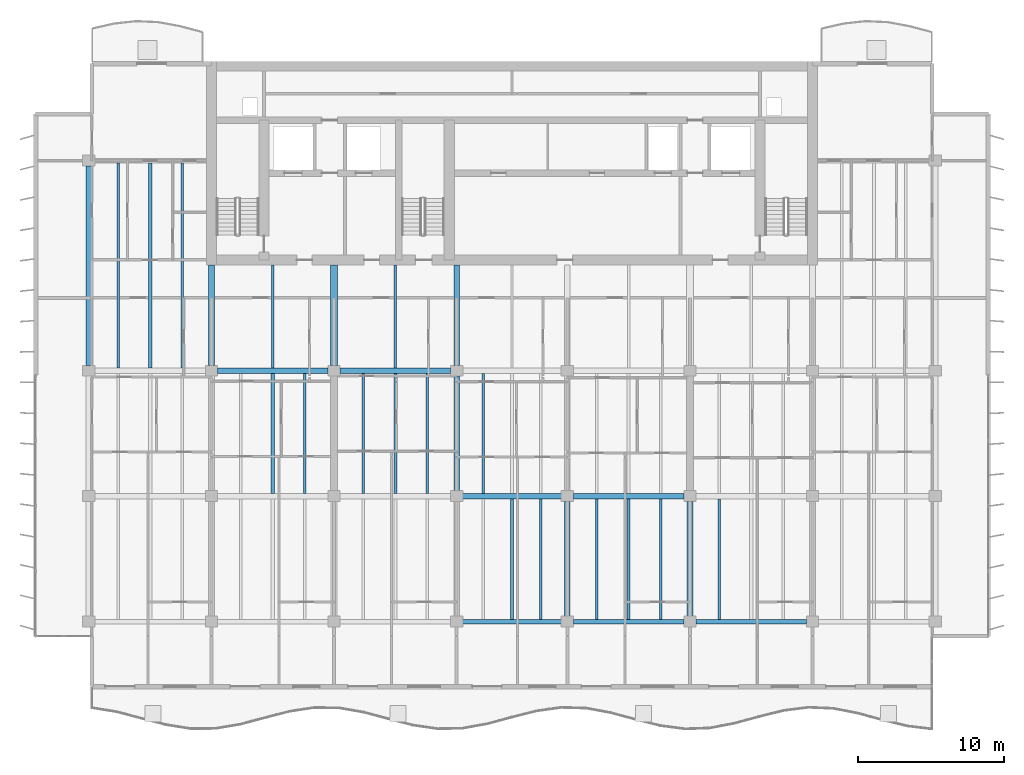
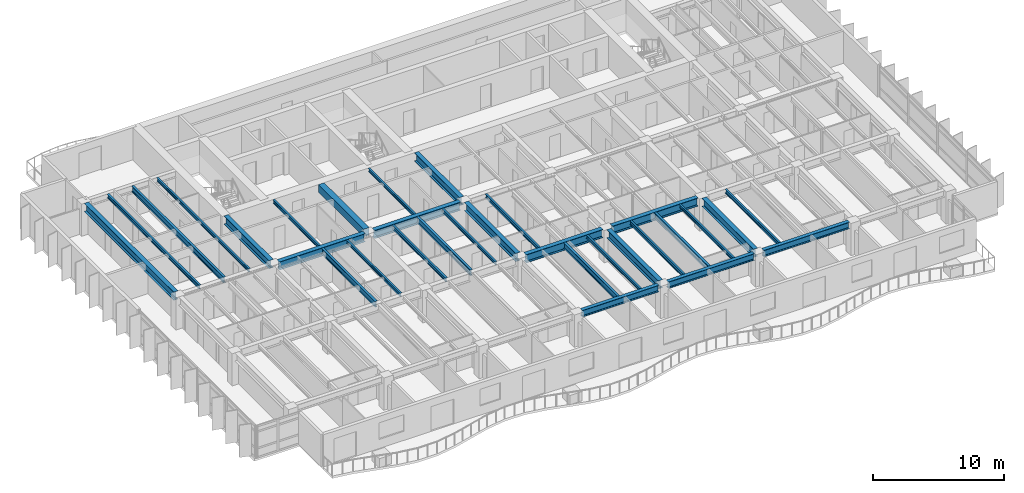
# One storey, part 3 of 19: 31 beams.
"""IFC4 building model written with IfcOpenShell, lengths in metres."""

from ifc_helpers import new_model, si_unit, direction, frame, origin, origin_2d, place, context, subcontext, project, spatial, rectangle, i_section, extrude, material, material_profile, profile_set, type_object, element, save


model = new_model("IFC4")

# Units and contexts
model_context = context("Model", 3, precision=1e-05, world=origin(), true_north=direction((0.0, 1.0)))
body_context = subcontext(model_context, "Body", "Model", "MODEL_VIEW")
ifc_project = project(units=[si_unit("LENGTHUNIT", "METRE"), si_unit("AREAUNIT", "SQUARE_METRE"), si_unit("VOLUMEUNIT", "CUBIC_METRE"), si_unit("PLANEANGLEUNIT", "RADIAN"), si_unit("MASSUNIT", "GRAM", prefix="KILO")], contexts=[model_context])

# Site, building, storey
site_placement = place(None, origin())
site = spatial("IfcSite", under=ifc_project, at=site_placement, CompositionType="ELEMENT")
building_placement = place(site_placement, origin())
building = spatial("IfcBuilding", under=site, at=building_placement, Name="Caelmar Bay Residences", CompositionType="ELEMENT")
storey_placement = place(building_placement, frame((0.0, 0.0, 218.10009765625)))
storey = spatial("IfcBuildingStorey", under=building, at=storey_placement, Name="L61", CompositionType="ELEMENT", Elevation=218.10009765625)

# Beams
ifc_material_1 = material(Name="Steel ASTM A992 Grade 50", Category="steel")
ifc_material_profile_1 = material_profile(ifc_material_1, i_section(OverallWidth=0.381103515625, OverallDepth=0.77197265625, WebThickness=0.0166015625, FlangeThickness=0.027099609375, FilletRadius=0.0166015625, at=origin_2d()), Name="W30X173")
ifc_profile_set_1 = profile_set([ifc_material_profile_1], Name="Steel ASTM A992 Grade 50")
beam_type_1 = type_object("IfcBeamType", Name="BM-GRD-W30X173", PredefinedType="BEAM", material=ifc_profile_set_1)
beam_1_placement = place(storey_placement, frame((35.514892578125, 20.800048828125, 2.614013671875), z_axis=(1.0, 0.0, 0.0), x_axis=(0.0, 1.0, 0.0)))
element("IfcBeam", 1, at=beam_1_placement, inside=storey, type_object=beam_type_1, Name="L61 East-West Girder Y=20.80 (35.1-42.7)", PredefinedType="BEAM", context=body_context, shape_type="SweptSolid", body=[
    extrude(i_section(OverallWidth=0.381103515625, OverallDepth=0.77197265625, WebThickness=0.0166015625, FlangeThickness=0.027099609375, FilletRadius=0.0166015625, at=origin_2d()), origin(), (0.0, 0.0, 1.0), 6.77001953125),
])
beam_2_placement = place(storey_placement, frame((43.114990234375, 20.800048828125, 2.614013671875), z_axis=(1.0, 0.0, 0.0), x_axis=(0.0, 1.0, 0.0)))
element("IfcBeam", 2, at=beam_2_placement, inside=storey, type_object=beam_type_1, Name="L61 East-West Girder Y=20.80 (42.7-51.1)", PredefinedType="BEAM", context=body_context, shape_type="SweptSolid", body=[
    extrude(i_section(OverallWidth=0.381103515625, OverallDepth=0.77197265625, WebThickness=0.0166015625, FlangeThickness=0.027099609375, FilletRadius=0.0166015625, at=origin_2d()), origin(), (0.0, 0.0, 1.0), 7.570068359375),
])
beam_3_placement = place(storey_placement, frame((18.715087890625, 29.39990234375, 2.614013671875), z_axis=(1.0, 0.0, 0.0), x_axis=(0.0, 1.0, 0.0)))
element("IfcBeam", 3, at=beam_3_placement, inside=storey, type_object=beam_type_1, Name="L61 East-West Girder Y=29.40 (18.3-26.7)", PredefinedType="BEAM", context=body_context, shape_type="SweptSolid", body=[
    extrude(i_section(OverallWidth=0.381103515625, OverallDepth=0.77197265625, WebThickness=0.0166015625, FlangeThickness=0.027099609375, FilletRadius=0.0166015625, at=origin_2d()), origin(), (0.0, 0.0, 1.0), 7.56982421875),
])
beam_4_placement = place(storey_placement, frame((27.114990234375, 29.39990234375, 2.614013671875), z_axis=(1.0, 0.0, 0.0), x_axis=(0.0, 1.0, 0.0)))
element("IfcBeam", 4, at=beam_4_placement, inside=storey, type_object=beam_type_1, Name="L61 East-West Girder Y=29.40 (26.7-35.1)", PredefinedType="BEAM", context=body_context, shape_type="SweptSolid", body=[
    extrude(i_section(OverallWidth=0.381103515625, OverallDepth=0.77197265625, WebThickness=0.0166015625, FlangeThickness=0.027099609375, FilletRadius=0.0166015625, at=origin_2d()), origin(), (0.0, 0.0, 1.0), 7.570068359375),
])
beam_5_placement = place(storey_placement, frame((9.89990234375, 29.764892578125, 2.614013671875), z_axis=(0.0, 1.0, 0.0), x_axis=(-1.0, 0.0, 0.0)))
element("IfcBeam", 5, at=beam_5_placement, inside=storey, type_object=beam_type_1, Name="L61 North-South Girder X=9.90 (29.4-43.8)", PredefinedType="BEAM", context=body_context, shape_type="SweptSolid", body=[
    extrude(i_section(OverallWidth=0.381103515625, OverallDepth=0.77197265625, WebThickness=0.0166015625, FlangeThickness=0.027099609375, FilletRadius=0.0166015625, at=origin_2d()), origin(), (0.0, 0.0, 1.0), 13.670166015625),
])
for number, where, z_axis, x_axis, name in (
    (6, (18.300048828125, 29.764892578125, 2.614013671875), (0.0, 1.0, 0.0), (-1.0, 0.0, 0.0), "L61 Core Tie Girder X=18.30"),
    (7, (35.10009765625, 29.764892578125, 2.614013671875), (0.0, 1.0, 0.0), (-1.0, 0.0, 0.0), "L61 Core Tie Girder X=35.10"),
):
    element("IfcBeam", number, at=place(storey_placement, frame(where, z_axis=z_axis, x_axis=x_axis)), inside=storey, type_object=beam_type_1, Name=name, PredefinedType="BEAM", context=body_context, shape_type="SweptSolid", body=[
        extrude(i_section(OverallWidth=0.381103515625, OverallDepth=0.77197265625, WebThickness=0.0166015625, FlangeThickness=0.027099609375, FilletRadius=0.0166015625, at=origin_2d()), origin(), (0.0, 0.0, 1.0), 6.885009765625),
    ])
beam_6_placement = place(storey_placement, frame((35.10009765625, 21.1650390625, 2.614013671875), z_axis=(0.0, 1.0, 0.0), x_axis=(-1.0, 0.0, 0.0)))
element("IfcBeam", 8, at=beam_6_placement, inside=storey, type_object=beam_type_1, Name="L61 North-South Girder X=35.10 (20.8-29.4)", PredefinedType="BEAM", context=body_context, shape_type="SweptSolid", body=[
    extrude(i_section(OverallWidth=0.381103515625, OverallDepth=0.77197265625, WebThickness=0.0166015625, FlangeThickness=0.027099609375, FilletRadius=0.0166015625, at=origin_2d()), origin(), (0.0, 0.0, 1.0), 7.869873046875),
])
for number, where, z_axis, x_axis, name in (
    (9, (42.699951171875, 12.56494140625, 2.614013671875), (0.0, 1.0, 0.0), (-1.0, 0.0, 0.0), "L61 North-South Girder X=42.70 (12.2-20.8)"),
    (10, (51.10009765625, 12.56494140625, 2.614013671875), (0.0, 1.0, 0.0), (-1.0, 0.0, 0.0), "L61 North-South Girder X=51.10 (12.2-20.8)"),
):
    element("IfcBeam", number, at=place(storey_placement, frame(where, z_axis=z_axis, x_axis=x_axis)), inside=storey, type_object=beam_type_1, Name=name, PredefinedType="BEAM", context=body_context, shape_type="SweptSolid", body=[
        extrude(i_section(OverallWidth=0.381103515625, OverallDepth=0.77197265625, WebThickness=0.0166015625, FlangeThickness=0.027099609375, FilletRadius=0.0166015625, at=origin_2d()), origin(), (0.0, 0.0, 1.0), 7.8701171875),
    ])
ifc_material_profile_2 = material_profile(ifc_material_1, i_section(OverallWidth=0.1650390625, OverallDepth=0.31005859375, WebThickness=0.005859375, FlangeThickness=0.009765625, FilletRadius=0.007568359375, at=origin_2d()), Name="W12X26")
ifc_profile_set_2 = profile_set([ifc_material_profile_2], Name="Steel ASTM A992 Grade 50")
beam_type_2 = type_object("IfcBeamType", Name="BM-JST-W12X26", PredefinedType="JOIST", material=ifc_profile_set_2)
for number, where, z_axis, x_axis, name in (
    (11, (40.8759765625, 12.362548828125, 2.844970703125), (0.0, 1.0, 0.0), (-1.0, 0.0, 0.0), "L61 Composite Floor Joist 12"),
    (12, (49.083984375, 12.362548828125, 2.844970703125), (0.0, 1.0, 0.0), (-1.0, 0.0, 0.0), "L61 Composite Floor Joist 15"),
):
    element("IfcBeam", number, at=place(storey_placement, frame(where, z_axis=z_axis, x_axis=x_axis)), inside=storey, type_object=beam_type_2, Name=name, PredefinedType="JOIST", context=body_context, shape_type="SweptSolid", body=[
        extrude(i_section(OverallWidth=0.1650390625, OverallDepth=0.31005859375, WebThickness=0.005859375, FlangeThickness=0.009765625, FilletRadius=0.007568359375, at=origin_2d()), origin(), (0.0, 0.0, 1.0), 8.2470703125),
    ])
for number, where, z_axis, x_axis, name in (
    (13, (24.68408203125, 20.990478515625, 2.844970703125), (0.0, 1.0, 0.0), (-1.0, 0.0, 0.0), "L61 Composite Floor Joist 27"),
    (14, (33.083984375, 20.990478515625, 2.844970703125), (0.0, 1.0, 0.0), (-1.0, 0.0, 0.0), "L61 Composite Floor Joist 30"),
):
    element("IfcBeam", number, at=place(storey_placement, frame(where, z_axis=z_axis, x_axis=x_axis)), inside=storey, type_object=beam_type_2, Name=name, PredefinedType="JOIST", context=body_context, shape_type="SweptSolid", body=[
        extrude(i_section(OverallWidth=0.1650390625, OverallDepth=0.31005859375, WebThickness=0.005859375, FlangeThickness=0.009765625, FilletRadius=0.007568359375, at=origin_2d()), origin(), (0.0, 0.0, 1.0), 8.218994140625),
    ])
for number, where, z_axis, x_axis, name in (
    (15, (22.5, 29.590576171875, 2.844970703125), (0.0, 1.0, 0.0), (-1.0, 0.0, 0.0), "L61 Core-Band Composite Joist 43"),
    (16, (30.89990234375, 29.590576171875, 2.844970703125), (0.0, 1.0, 0.0), (-1.0, 0.0, 0.0), "L61 Core-Band Composite Joist 44"),
):
    element("IfcBeam", number, at=place(storey_placement, frame(where, z_axis=z_axis, x_axis=x_axis)), inside=storey, type_object=beam_type_2, Name=name, PredefinedType="JOIST", context=body_context, shape_type="SweptSolid", body=[
        extrude(i_section(OverallWidth=0.1650390625, OverallDepth=0.31005859375, WebThickness=0.005859375, FlangeThickness=0.009765625, FilletRadius=0.007568359375, at=origin_2d()), origin(), (0.0, 0.0, 1.0), 7.059326171875),
    ])
beam_7_placement = place(storey_placement, frame((16.283935546875, 29.590576171875, 2.844970703125), z_axis=(0.0, 1.0, 0.0), x_axis=(-1.0, 0.0, 0.0)))
element("IfcBeam", 17, at=beam_7_placement, inside=storey, type_object=beam_type_2, Name="L61 Composite Floor Joist 50", PredefinedType="JOIST", context=body_context, shape_type="SweptSolid", body=[
    extrude(i_section(OverallWidth=0.1650390625, OverallDepth=0.31005859375, WebThickness=0.005859375, FlangeThickness=0.009765625, FilletRadius=0.007568359375, at=origin_2d()), origin(), (0.0, 0.0, 1.0), 14.046875),
])
ifc_material_profile_3 = material_profile(ifc_material_1, i_section(OverallWidth=0.1708984375, OverallDepth=0.35595703125, WebThickness=0.007080078125, FlangeThickness=0.01171875, FilletRadius=0.007568359375, at=origin_2d()), Name="W14X34")
ifc_profile_set_3 = profile_set([ifc_material_profile_3], Name="Steel ASTM A992 Grade 50")
beam_type_3 = type_object("IfcBeamType", Name="BM-JST-W14X34", PredefinedType="JOIST", material=ifc_profile_set_3)
for number, where, z_axis, x_axis, name in (
    (18, (44.716064453125, 12.362548828125, 2.822021484375), (0.0, 1.0, 0.0), (-1.0, 0.0, 0.0), "L61 Composite Floor Joist 13"),
    (19, (53.115966796875, 12.362548828125, 2.822021484375), (0.0, 1.0, 0.0), (-1.0, 0.0, 0.0), "L61 Composite Floor Joist 16"),
):
    element("IfcBeam", number, at=place(storey_placement, frame(where, z_axis=z_axis, x_axis=x_axis)), inside=storey, type_object=beam_type_3, Name=name, PredefinedType="JOIST", context=body_context, shape_type="SweptSolid", body=[
        extrude(i_section(OverallWidth=0.1708984375, OverallDepth=0.35595703125, WebThickness=0.007080078125, FlangeThickness=0.01171875, FilletRadius=0.007568359375, at=origin_2d()), origin(), (0.0, 0.0, 1.0), 8.2470703125),
    ])
for number, where, z_axis, x_axis, name in (
    (20, (28.716064453125, 20.990478515625, 2.822021484375), (0.0, 1.0, 0.0), (-1.0, 0.0, 0.0), "L61 Composite Floor Joist 28"),
    (21, (36.924072265625, 20.990478515625, 2.822021484375), (0.0, 1.0, 0.0), (-1.0, 0.0, 0.0), "L61 Composite Floor Joist 31"),
):
    element("IfcBeam", number, at=place(storey_placement, frame(where, z_axis=z_axis, x_axis=x_axis)), inside=storey, type_object=beam_type_3, Name=name, PredefinedType="JOIST", context=body_context, shape_type="SweptSolid", body=[
        extrude(i_section(OverallWidth=0.1708984375, OverallDepth=0.35595703125, WebThickness=0.007080078125, FlangeThickness=0.01171875, FilletRadius=0.007568359375, at=origin_2d()), origin(), (0.0, 0.0, 1.0), 8.218994140625),
    ])
beam_8_placement = place(storey_placement, frame((11.916015625, 29.590576171875, 2.822021484375), z_axis=(0.0, 1.0, 0.0), x_axis=(-1.0, 0.0, 0.0)))
element("IfcBeam", 22, at=beam_8_placement, inside=storey, type_object=beam_type_3, Name="L61 Composite Floor Joist 48", PredefinedType="JOIST", context=body_context, shape_type="SweptSolid", body=[
    extrude(i_section(OverallWidth=0.1708984375, OverallDepth=0.35595703125, WebThickness=0.007080078125, FlangeThickness=0.01171875, FilletRadius=0.007568359375, at=origin_2d()), origin(), (0.0, 0.0, 1.0), 14.046875),
])
ifc_material_profile_4 = material_profile(ifc_material_1, i_section(OverallWidth=0.2099609375, OverallDepth=0.535888671875, WebThickness=0.010986328125, FlangeThickness=0.017333984375, FilletRadius=0.0126953125, at=origin_2d()), Name="W21X68")
ifc_profile_set_4 = profile_set([ifc_material_profile_4], Name="Steel ASTM A992 Grade 50")
beam_type_4 = type_object("IfcBeamType", Name="BM-JST-W21X68", PredefinedType="JOIST", material=ifc_profile_set_4)
for number, where, z_axis, x_axis, name in (
    (23, (38.89990234375, 12.362548828125, 2.73193359375), (0.0, 1.0, 0.0), (-1.0, 0.0, 0.0), "L61 Composite Floor Joist 11"),
    (24, (46.89990234375, 12.362548828125, 2.73193359375), (0.0, 1.0, 0.0), (-1.0, 0.0, 0.0), "L61 Composite Floor Joist 14"),
):
    element("IfcBeam", number, at=place(storey_placement, frame(where, z_axis=z_axis, x_axis=x_axis)), inside=storey, type_object=beam_type_4, Name=name, PredefinedType="JOIST", context=body_context, shape_type="SweptSolid", body=[
        extrude(i_section(OverallWidth=0.2099609375, OverallDepth=0.535888671875, WebThickness=0.010986328125, FlangeThickness=0.017333984375, FilletRadius=0.0126953125, at=origin_2d()), origin(), (0.0, 0.0, 1.0), 8.2470703125),
    ])
for number, where, z_axis, x_axis, name in (
    (25, (22.5, 20.990478515625, 2.73193359375), (0.0, 1.0, 0.0), (-1.0, 0.0, 0.0), "L61 Composite Floor Joist 26"),
    (26, (30.89990234375, 20.990478515625, 2.73193359375), (0.0, 1.0, 0.0), (-1.0, 0.0, 0.0), "L61 Composite Floor Joist 29"),
):
    element("IfcBeam", number, at=place(storey_placement, frame(where, z_axis=z_axis, x_axis=x_axis)), inside=storey, type_object=beam_type_4, Name=name, PredefinedType="JOIST", context=body_context, shape_type="SweptSolid", body=[
        extrude(i_section(OverallWidth=0.2099609375, OverallDepth=0.535888671875, WebThickness=0.010986328125, FlangeThickness=0.017333984375, FilletRadius=0.0126953125, at=origin_2d()), origin(), (0.0, 0.0, 1.0), 8.218994140625),
    ])
beam_9_placement = place(storey_placement, frame((14.10009765625, 29.590576171875, 2.73193359375), z_axis=(0.0, 1.0, 0.0), x_axis=(-1.0, 0.0, 0.0)))
element("IfcBeam", 27, at=beam_9_placement, inside=storey, type_object=beam_type_4, Name="L61 Composite Floor Joist 49", PredefinedType="JOIST", context=body_context, shape_type="SweptSolid", body=[
    extrude(i_section(OverallWidth=0.2099609375, OverallDepth=0.535888671875, WebThickness=0.010986328125, FlangeThickness=0.017333984375, FilletRadius=0.0126953125, at=origin_2d()), origin(), (0.0, 0.0, 1.0), 14.046875),
])
ifc_material_2 = material(Name="Concrete f'c 55 MPa (8,000 psi)", Category="concrete")
ifc_material_profile_5 = material_profile(ifc_material_2, rectangle(XDim=0.5, YDim=0.699951171875, at=origin_2d()), Name="RC-BM-500X700")
ifc_profile_set_5 = profile_set([ifc_material_profile_5], Name="Concrete f'c 55 MPa (8,000 psi)")
beam_type_5 = type_object("IfcBeamType", Name="BM-RC-500X700", PredefinedType="LINTEL", material=ifc_profile_set_5)
beam_10_placement = place(storey_placement, frame((26.699951171875, 29.764892578125, 2.64990234375), z_axis=(0.0, 1.0, 0.0), x_axis=(-1.0, 0.0, 0.0)))
element("IfcBeam", 28, at=beam_10_placement, inside=storey, type_object=beam_type_5, Name="L61 Shear-Wall Corridor Coupling Lintel W5", PredefinedType="LINTEL", context=body_context, shape_type="SweptSolid", body=[
    extrude(rectangle(XDim=0.5, YDim=0.699951171875, at=origin_2d()), origin(), (0.0, 0.0, 1.0), 6.885009765625),
])
ifc_material_profile_6 = material_profile(ifc_material_1, i_section(OverallWidth=0.324951171875, OverallDepth=0.616943359375, WebThickness=0.013916015625, FlangeThickness=0.021484375, FilletRadius=0.0126953125, at=origin_2d()), Name="W24X117")
ifc_profile_set_6 = profile_set([ifc_material_profile_6], Name="Steel ASTM A992 Grade 50")
beam_type_6 = type_object("IfcBeamType", Name="BM-SPN-W24X117", PredefinedType="SPANDREL", material=ifc_profile_set_6)
beam_11_placement = place(storey_placement, frame((35.514892578125, 12.199951171875, 2.69140625), z_axis=(1.0, 0.0, 0.0), x_axis=(0.0, 1.0, 0.0)))
element("IfcBeam", 29, at=beam_11_placement, inside=storey, type_object=beam_type_6, Name="L61 East-West Girder Y=12.20 (35.1-42.7)", PredefinedType="SPANDREL", context=body_context, shape_type="SweptSolid", body=[
    extrude(i_section(OverallWidth=0.324951171875, OverallDepth=0.616943359375, WebThickness=0.013916015625, FlangeThickness=0.021484375, FilletRadius=0.0126953125, at=origin_2d()), origin(), (0.0, 0.0, 1.0), 6.77001953125),
])
for number, where, z_axis, x_axis, name in (
    (30, (43.114990234375, 12.199951171875, 2.69140625), (1.0, 0.0, 0.0), (0.0, 1.0, 0.0), "L61 East-West Girder Y=12.20 (42.7-51.1)"),
    (31, (51.514892578125, 12.199951171875, 2.69140625), (1.0, 0.0, 0.0), (0.0, 1.0, 0.0), "L61 East-West Girder Y=12.20 (51.1-59.5)"),
):
    element("IfcBeam", number, at=place(storey_placement, frame(where, z_axis=z_axis, x_axis=x_axis)), inside=storey, type_object=beam_type_6, Name=name, PredefinedType="SPANDREL", context=body_context, shape_type="SweptSolid", body=[
        extrude(i_section(OverallWidth=0.324951171875, OverallDepth=0.616943359375, WebThickness=0.013916015625, FlangeThickness=0.021484375, FilletRadius=0.0126953125, at=origin_2d()), origin(), (0.0, 0.0, 1.0), 7.570068359375),
    ])

save(model, "model.ifc")
